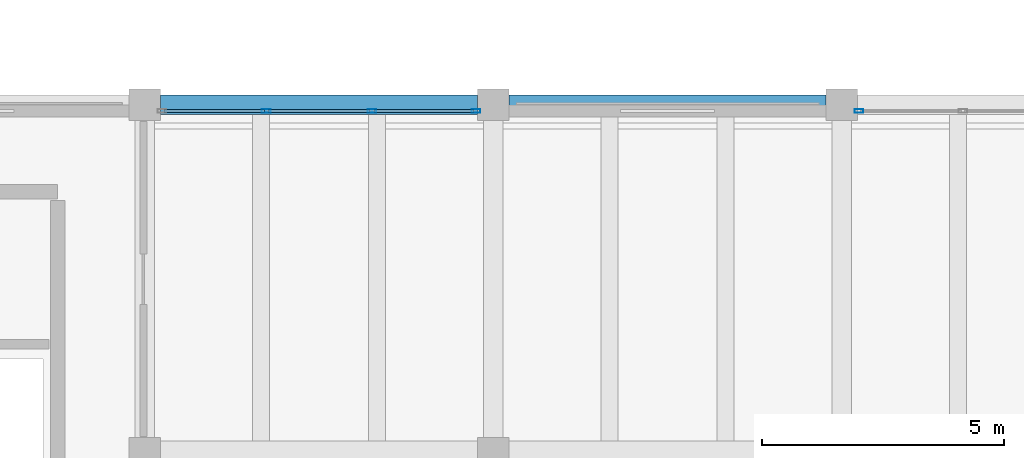
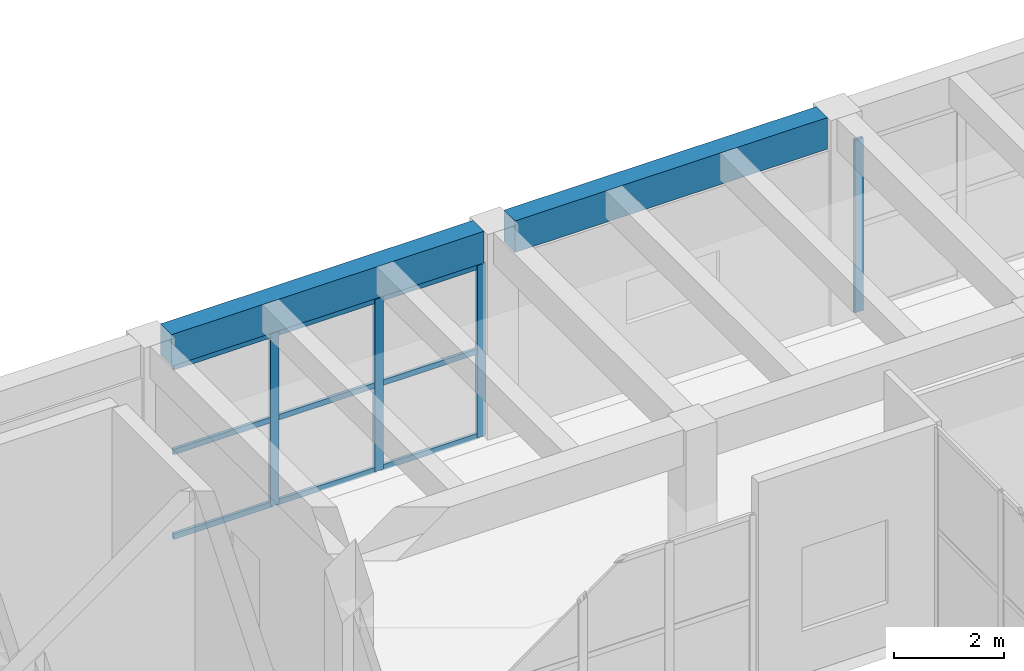
# One storey, part 79 of 155: 13 members, 2 beams, 2 elements without a shape of their own.
"""IFC4 building model written with IfcOpenShell, lengths in metres."""

import ifcopenshell
import ifcopenshell.guid

model = None  # the IFC model being written
_history = None  # IfcOwnerHistory: only IFC2X3 demands one
_inside = {}  # id of a spatial element -> (the spatial element, [elements in it])
_under = {}  # id of a project, library or spatial element -> (it, [spatial elements below it])
_declared = {}  # id of a project -> (the project, [libraries it declares])
_typed = {}  # id of a type object -> (the type object, [elements of that type])
_made_of = {}  # id of a material, layer set ... -> (it, [elements and type objects made of it])


def new_model(schema):
    """Start an empty IFC model of exactly this schema.

    Asked for "IFC4X3", IfcOpenShell would pick the latest addendum, in which some entities
    have other attributes; the version numbers below select the first issue.
    IFC2X3 requires an IfcOwnerHistory on every rooted entity: one is made here for all.
    """
    global model, _history
    if schema == "IFC4X3":
        model = ifcopenshell.file(schema_version=(4, 3, 0, 0))
    else:
        model = ifcopenshell.file(schema=schema)
    _inside.clear()
    _under.clear()
    _declared.clear()
    _typed.clear()
    _made_of.clear()
    _history = None
    if model.schema == "IFC2X3":
        org = make("IfcOrganization", Name="unknown")
        user = make(
            "IfcPersonAndOrganization",
            ThePerson=make("IfcPerson", FamilyName="unknown"),
            TheOrganization=org,
        )
        app = make(
            "IfcApplication",
            ApplicationDeveloper=org,
            Version="unknown",
            ApplicationFullName="unknown",
            ApplicationIdentifier="unknown",
        )
        _history = make(
            "IfcOwnerHistory",
            OwningUser=user,
            OwningApplication=app,
            ChangeAction="ADDED",
            CreationDate=0,
        )
    return model


def make(cls, **values):
    """One entity of the class cls with the attributes given. An attribute that is None is left unset."""
    return model.create_entity(
        cls, **{name: value for name, value in values.items() if value is not None}
    )


def rooted(cls, **values):
    """An entity with a GlobalId (a new one), such as an element, a storey or a relation."""
    return make(cls, GlobalId=ifcopenshell.guid.new(), OwnerHistory=_history, **values)


def si_unit(unit_type, name, prefix=None):
    """IfcSIUnit, for example si_unit("LENGTHUNIT", "METRE", prefix="MILLI")."""
    return make("IfcSIUnit", UnitType=unit_type, Prefix=prefix, Name=name)


def assignment(units):
    """IfcUnitAssignment: the units of a project."""
    return None if units is None else make("IfcUnitAssignment", Units=units)


def point(xyz):
    """IfcCartesianPoint."""
    return None if xyz is None else make("IfcCartesianPoint", Coordinates=xyz)


def direction(xyz):
    """IfcDirection."""
    return None if xyz is None else make("IfcDirection", DirectionRatios=xyz)


def frame(location, z_axis=None, x_axis=None):
    """IfcAxis2Placement3D, a coordinate frame: its origin and axes. An axis left out is left unset."""
    return make(
        "IfcAxis2Placement3D",
        Location=point(location),
        Axis=direction(z_axis),
        RefDirection=direction(x_axis),
    )


def frame_2d(location, x_axis=None):
    """IfcAxis2Placement2D, a coordinate frame in the plane: its origin and x axis."""
    return make(
        "IfcAxis2Placement2D", Location=point(location), RefDirection=direction(x_axis)
    )


def origin():
    """The frame at (0, 0, 0) with its axes left unset."""
    return frame((0.0, 0.0, 0.0))


def origin_2d():
    """The frame at (0, 0) in the plane with its x axis left unset."""
    return frame_2d((0.0, 0.0))


def place(relative_to, where):
    """IfcLocalPlacement: puts the frame where relative to a parent placement (None: the world)."""
    return make(
        "IfcLocalPlacement", PlacementRelTo=relative_to, RelativePlacement=where
    )


def context(
    kind, dimensions, precision=None, world=None, true_north=None, identifier=None
):
    """IfcGeometricRepresentationContext, for example the 3D "Model" context."""
    return make(
        "IfcGeometricRepresentationContext",
        ContextIdentifier=identifier,
        ContextType=kind,
        CoordinateSpaceDimension=dimensions,
        Precision=precision,
        WorldCoordinateSystem=world,
        TrueNorth=true_north,
    )


def subcontext(parent, identifier, kind, view, scale=None):
    """IfcGeometricRepresentationSubContext, for example "Body" below "Model"."""
    return make(
        "IfcGeometricRepresentationSubContext",
        ContextIdentifier=identifier,
        ContextType=kind,
        ParentContext=parent,
        TargetScale=scale,
        TargetView=view,
    )


def project(units=None, contexts=None):
    """IfcProject with its units and contexts."""
    return rooted(
        "IfcProject",
        Name="project",
        RepresentationContexts=contexts,
        UnitsInContext=assignment(units),
    )


def spatial(cls, under=None, at=None, **own):
    """A site, building, storey or space (cls), placed at a placement, below another one or the project."""
    s = rooted(cls, ObjectPlacement=at, **own)
    if under is not None:
        _under.setdefault(under.id(), (under, []))[1].append(s)
    return s


def profile(cls, at=None, kind="AREA", **sizes):
    """A parametric profile (cls). Its sizes go by their IFC names, for example OverallWidth=200.0."""
    return make(cls, ProfileType=kind, Position=at, **sizes)


def rectangle(**sizes):
    """IfcRectangleProfileDef."""
    return profile("IfcRectangleProfileDef", **sizes)


def hollow_rectangle(**sizes):
    """IfcRectangleHollowProfileDef."""
    return profile("IfcRectangleHollowProfileDef", **sizes)


def extrude(swept, where, along, depth):
    """IfcExtrudedAreaSolid: the profile swept, set in the frame where, extruded along a direction by depth."""
    return make(
        "IfcExtrudedAreaSolid",
        SweptArea=swept,
        Position=where,
        ExtrudedDirection=direction(along),
        Depth=depth,
    )


def shape(context_of_items, identifier, shape_type, items):
    """IfcShapeRepresentation: the items that make up one representation, for example the "Body"."""
    return make(
        "IfcShapeRepresentation",
        ContextOfItems=context_of_items,
        RepresentationIdentifier=identifier,
        RepresentationType=shape_type,
        Items=items,
    )


def material(Name=None, Category=None):
    """IfcMaterial."""
    return make("IfcMaterial", Name=Name, Category=Category)


def material_profile(
    of_material, cross_section, Name=None, Category=None, Priority=None
):
    """IfcMaterialProfile: a cross section and its material."""
    return make(
        "IfcMaterialProfile",
        Name=Name,
        Material=of_material,
        Profile=cross_section,
        Priority=Priority,
        Category=Category,
    )


def profile_set(profiles, Name=None, composite=None):
    """IfcMaterialProfileSet."""
    return make(
        "IfcMaterialProfileSet",
        Name=Name,
        MaterialProfiles=profiles,
        CompositeProfile=composite,
    )


def made_of(thing, what):
    """Note that an element or type object is made of a material, layer set ...; save() writes the relation."""
    if what is not None:
        _made_of.setdefault(what.id(), (what, []))[1].append(thing)
    return thing


def type_object(cls, material=None, **own):
    """A type object (cls), such as IfcWallType, which elements share."""
    return made_of(rooted(cls, **own), material)


def element(
    cls,
    number,
    at=None,
    inside=None,
    cuts=None,
    type_object=None,
    material=None,
    context=None,
    identifier="Body",
    shape_type=None,
    held_by="IfcProductDefinitionShape",
    body=None,
    shapes=None,
    **own,
):
    """One element of the class cls, such as IfcWall. Its Tag is "e" and its number.

    at: its placement. inside: the storey or other place that contains it. cuts: it is an
    opening in that element (IfcRelVoidsElement). A single representation is given by context,
    identifier, shape_type and body (its items); several are given by shapes. held_by: the class
    of the entity that holds the representations. save() writes the other relations.
    """
    e = rooted(cls, Tag="e%d" % number, ObjectPlacement=at, **own)
    if body is not None:
        shapes = [shape(context, identifier, shape_type, body)]
    if shapes is not None:
        e.Representation = make(held_by, Representations=shapes)
    if inside is not None:
        _inside.setdefault(inside.id(), (inside, []))[1].append(e)
    if cuts is not None:
        rooted(
            "IfcRelVoidsElement", RelatingBuildingElement=cuts, RelatedOpeningElement=e
        )
    if type_object is not None:
        _typed.setdefault(type_object.id(), (type_object, []))[1].append(e)
    return made_of(e, material)


def aggregate(whole, parts):
    """IfcRelAggregates: a whole, such as a stair, and the parts it consists of."""
    return rooted("IfcRelAggregates", RelatingObject=whole, RelatedObjects=parts)


def save(model, path):
    """Write the relations noted so far, then the file.

    IfcRelAggregates (storeys below a building ...), IfcRelContainedInSpatialStructure (elements
    in a storey), IfcRelDefinesByType, IfcRelAssociatesMaterial and IfcRelDeclares: one each for
    every whole, place, type object, material and project.
    """
    for whole, parts in _under.values():
        aggregate(whole, parts)
    for where, things in _inside.values():
        rooted(
            "IfcRelContainedInSpatialStructure",
            RelatedElements=things,
            RelatingStructure=where,
        )
    for kind, things in _typed.values():
        rooted("IfcRelDefinesByType", RelatedObjects=things, RelatingType=kind)
    for what, things in _made_of.values():
        rooted("IfcRelAssociatesMaterial", RelatedObjects=things, RelatingMaterial=what)
    for by, libraries in _declared.values():
        rooted("IfcRelDeclares", RelatingContext=by, RelatedDefinitions=libraries)
    model.write(path)


model = new_model("IFC4")

# Units and contexts
model_context = context("Model", 3, precision=1e-05, world=origin(), true_north=direction((0.0, 1.0)))
body_context = subcontext(model_context, "Body", "Model", "MODEL_VIEW")
ifc_project = project(units=[si_unit("LENGTHUNIT", "METRE"), si_unit("AREAUNIT", "SQUARE_METRE"), si_unit("VOLUMEUNIT", "CUBIC_METRE"), si_unit("PLANEANGLEUNIT", "RADIAN"), si_unit("MASSUNIT", "GRAM", prefix="KILO")], contexts=[model_context])

# Site, building, storey
site_placement = place(None, origin())
site = spatial("IfcSite", under=ifc_project, at=site_placement, CompositionType="ELEMENT")
building_placement = place(site_placement, origin())
building = spatial("IfcBuilding", under=site, at=building_placement, Name="Bramvelor Terrace Health Centre", CompositionType="ELEMENT")
storey_placement = place(building_placement, origin())
storey = spatial("IfcBuildingStorey", under=building, at=storey_placement, Name="L01", CompositionType="ELEMENT", Elevation=0.0)

# Beams
ifc_material_1 = material(Name="Concrete C40/50", Category="concrete")
ifc_material_profile_1 = material_profile(ifc_material_1, rectangle(XDim=0.39990234375, YDim=0.699951171875, at=origin_2d()), Name="RC 400x700")
ifc_profile_set_1 = profile_set([ifc_material_profile_1], Name="Concrete C40/50")
beam_type = type_object("IfcBeamType", Name="BM-RC-SP700-EXT", PredefinedType="SPANDREL", material=ifc_profile_set_1)
beam_1_placement = place(storey_placement, frame((14.72509765625, 115.199951171875, 4.2099609375), z_axis=(1.0, 0.0, 0.0), x_axis=(0.0, 1.0, 0.0)))
element("IfcBeam", 1, at=beam_1_placement, inside=storey, type_object=beam_type, Name="L01 Floor Girder", PredefinedType="SPANDREL", context=body_context, shape_type="SweptSolid", body=[
    extrude(rectangle(XDim=0.39990234375, YDim=0.699951171875, at=origin_2d()), origin(), (0.0, 0.0, 1.0), 6.5498046875),
])
beam_2_placement = place(storey_placement, frame((21.925048828125, 115.199951171875, 4.2099609375), z_axis=(1.0, 0.0, 0.0), x_axis=(0.0, 1.0, 0.0)))
element("IfcBeam", 2, at=beam_2_placement, inside=storey, type_object=beam_type, Name="L01 Floor Girder", PredefinedType="SPANDREL", context=body_context, shape_type="SweptSolid", body=[
    extrude(rectangle(XDim=0.39990234375, YDim=0.699951171875, at=origin_2d()), origin(), (0.0, 0.0, 1.0), 6.550048828125),
])

# Curtain wall, members
ifc_material_2 = material(Name="Anodized aluminium and double low-E glass", Category="aluminium")
curtain_wall_type = type_object("IfcCurtainWallType", Name="CW-SYS-05", PredefinedType="NOTDEFINED", material=ifc_material_2)
curtain_wall_1_placement = place(storey_placement, origin())
curtain_wall_1 = element("IfcCurtainWall", 3, at=curtain_wall_1_placement, inside=storey, type_object=curtain_wall_type, Name="L01 Unitized Curtain Wall 19", PredefinedType="NOTDEFINED")
ifc_material_3 = material(Name="Anodized aluminium 6063-T6", Category="aluminium")
ifc_material_profile_2 = material_profile(ifc_material_3, hollow_rectangle(XDim=0.074951171875, YDim=0.179931640625, WallThickness=0.00341796875, at=origin_2d()), Name="ALU-MUL 75x180x3.5")
ifc_profile_set_2 = profile_set([ifc_material_profile_2], Name="Anodized aluminium 6063-T6")
member_type_1 = type_object("IfcMemberType", Name="CW-MUL-65x180", PredefinedType="MULLION", material=ifc_profile_set_2)
member_1_placement = place(storey_placement, frame((16.90673828125, 115.070068359375, 0.0), z_axis=(0.0, 0.0, 1.0), x_axis=(0.0, 1.0, 0.0)))
member_1 = element("IfcMember", 4, at=member_1_placement, type_object=member_type_1, Name="CW-05 mullion 2", PredefinedType="MULLION", context=body_context, shape_type="SweptSolid", body=[
    extrude(hollow_rectangle(XDim=0.074951171875, YDim=0.179931640625, WallThickness=0.00341796875, at=origin_2d()), origin(), (0.0, 0.0, 1.0), 3.820068359375),
])
member_2_placement = place(storey_placement, frame((19.09326171875, 115.070068359375, 0.0), z_axis=(0.0, 0.0, 1.0), x_axis=(0.0, 1.0, 0.0)))
member_2 = element("IfcMember", 5, at=member_2_placement, type_object=member_type_1, Name="CW-05 mullion 3", PredefinedType="MULLION", context=body_context, shape_type="SweptSolid", body=[
    extrude(hollow_rectangle(XDim=0.074951171875, YDim=0.179931640625, WallThickness=0.00341796875, at=origin_2d()), origin(), (0.0, 0.0, 1.0), 3.820068359375),
])
member_3_placement = place(storey_placement, frame((21.242431640625, 115.070068359375, 0.0), z_axis=(0.0, 0.0, 1.0), x_axis=(0.0, 1.0, 0.0)))
member_3 = element("IfcMember", 6, at=member_3_placement, type_object=member_type_1, Name="CW-05 mullion 4", PredefinedType="MULLION", context=body_context, shape_type="SweptSolid", body=[
    extrude(hollow_rectangle(XDim=0.074951171875, YDim=0.179931640625, WallThickness=0.00341796875, at=origin_2d()), origin(), (0.0, 0.0, 1.0), 3.820068359375),
])

# Curtain wall, member
curtain_wall_2_placement = place(storey_placement, origin())
curtain_wall_2 = element("IfcCurtainWall", 7, at=curtain_wall_2_placement, inside=storey, type_object=curtain_wall_type, Name="L01 Unitized Curtain Wall 20", PredefinedType="NOTDEFINED")
member_4_placement = place(storey_placement, frame((29.157470703125, 115.070068359375, 0.0), z_axis=(0.0, 0.0, 1.0), x_axis=(0.0, 1.0, 0.0)))
member_4 = element("IfcMember", 8, at=member_4_placement, type_object=member_type_1, Name="CW-05 mullion 1", PredefinedType="MULLION", context=body_context, shape_type="SweptSolid", body=[
    extrude(hollow_rectangle(XDim=0.074951171875, YDim=0.179931640625, WallThickness=0.00341796875, at=origin_2d()), origin(), (0.0, 0.0, 1.0), 3.820068359375),
])
aggregate(curtain_wall_2, [member_4])

# Member
ifc_material_4 = material(Name="Anodized aluminium 6063-T6", Category="aluminium")
ifc_material_profile_3 = material_profile(ifc_material_4, hollow_rectangle(XDim=0.06494140625, YDim=0.1201171875, WallThickness=0.0029296875, at=origin_2d()), Name="ALU-TRN 65x120x3.0")
ifc_profile_set_3 = profile_set([ifc_material_profile_3], Name="Anodized aluminium 6063-T6")
member_type_2 = type_object("IfcMemberType", Name="CW-TRN-65x150", PredefinedType="USERDEFINED", material=ifc_profile_set_3)
member_5_placement = place(storey_placement, frame((14.794921875, 115.070068359375, 0.032470703125), z_axis=(1.0, 0.0, 0.0), x_axis=(0.0, 1.0, 0.0)))
member_5 = element("IfcMember", 9, at=member_5_placement, type_object=member_type_2, Name="CW-05 transom 1.1", ObjectType="TRANSOM", PredefinedType="USERDEFINED", context=body_context, shape_type="SweptSolid", body=[
    extrude(hollow_rectangle(XDim=0.06494140625, YDim=0.1201171875, WallThickness=0.0029296875, at=origin_2d()), origin(), (0.0, 0.0, 1.0), 2.07421875),
])

member_6_placement = place(storey_placement, frame((14.794921875, 115.070068359375, 1.909912109375), z_axis=(1.0, 0.0, 0.0), x_axis=(0.0, 1.0, 0.0)))
member_6 = element("IfcMember", 10, at=member_6_placement, type_object=member_type_2, Name="CW-05 transom 1.2", ObjectType="TRANSOM", PredefinedType="USERDEFINED", context=body_context, shape_type="SweptSolid", body=[
    extrude(hollow_rectangle(XDim=0.06494140625, YDim=0.1201171875, WallThickness=0.0029296875, at=origin_2d()), origin(), (0.0, 0.0, 1.0), 2.07421875),
])

member_7_placement = place(storey_placement, frame((14.794921875, 115.070068359375, 3.78759765625), z_axis=(1.0, 0.0, 0.0), x_axis=(0.0, 1.0, 0.0)))
member_7 = element("IfcMember", 11, at=member_7_placement, type_object=member_type_2, Name="CW-05 transom 1.3", ObjectType="TRANSOM", PredefinedType="USERDEFINED", context=body_context, shape_type="SweptSolid", body=[
    extrude(hollow_rectangle(XDim=0.06494140625, YDim=0.1201171875, WallThickness=0.0029296875, at=origin_2d()), origin(), (0.0, 0.0, 1.0), 2.07421875),
])

member_8_placement = place(storey_placement, frame((16.944091796875, 115.070068359375, 0.032470703125), z_axis=(1.0, 0.0, 0.0), x_axis=(0.0, 1.0, 0.0)))
member_8 = element("IfcMember", 12, at=member_8_placement, type_object=member_type_2, Name="CW-05 transom 2.1", ObjectType="TRANSOM", PredefinedType="USERDEFINED", context=body_context, shape_type="SweptSolid", body=[
    extrude(hollow_rectangle(XDim=0.06494140625, YDim=0.1201171875, WallThickness=0.0029296875, at=origin_2d()), origin(), (0.0, 0.0, 1.0), 2.11181640625),
])

member_9_placement = place(storey_placement, frame((16.944091796875, 115.070068359375, 1.909912109375), z_axis=(1.0, 0.0, 0.0), x_axis=(0.0, 1.0, 0.0)))
member_9 = element("IfcMember", 13, at=member_9_placement, type_object=member_type_2, Name="CW-05 transom 2.2", ObjectType="TRANSOM", PredefinedType="USERDEFINED", context=body_context, shape_type="SweptSolid", body=[
    extrude(hollow_rectangle(XDim=0.06494140625, YDim=0.1201171875, WallThickness=0.0029296875, at=origin_2d()), origin(), (0.0, 0.0, 1.0), 2.11181640625),
])

member_10_placement = place(storey_placement, frame((16.944091796875, 115.070068359375, 3.78759765625), z_axis=(1.0, 0.0, 0.0), x_axis=(0.0, 1.0, 0.0)))
member_10 = element("IfcMember", 14, at=member_10_placement, type_object=member_type_2, Name="CW-05 transom 2.3", ObjectType="TRANSOM", PredefinedType="USERDEFINED", context=body_context, shape_type="SweptSolid", body=[
    extrude(hollow_rectangle(XDim=0.06494140625, YDim=0.1201171875, WallThickness=0.0029296875, at=origin_2d()), origin(), (0.0, 0.0, 1.0), 2.11181640625),
])

member_11_placement = place(storey_placement, frame((19.130859375, 115.070068359375, 0.032470703125), z_axis=(1.0, 0.0, 0.0), x_axis=(0.0, 1.0, 0.0)))
member_11 = element("IfcMember", 15, at=member_11_placement, type_object=member_type_2, Name="CW-05 transom 3.1", ObjectType="TRANSOM", PredefinedType="USERDEFINED", context=body_context, shape_type="SweptSolid", body=[
    extrude(hollow_rectangle(XDim=0.06494140625, YDim=0.1201171875, WallThickness=0.0029296875, at=origin_2d()), origin(), (0.0, 0.0, 1.0), 2.07421875),
])

member_12_placement = place(storey_placement, frame((19.130859375, 115.070068359375, 1.909912109375), z_axis=(1.0, 0.0, 0.0), x_axis=(0.0, 1.0, 0.0)))
member_12 = element("IfcMember", 16, at=member_12_placement, type_object=member_type_2, Name="CW-05 transom 3.2", ObjectType="TRANSOM", PredefinedType="USERDEFINED", context=body_context, shape_type="SweptSolid", body=[
    extrude(hollow_rectangle(XDim=0.06494140625, YDim=0.1201171875, WallThickness=0.0029296875, at=origin_2d()), origin(), (0.0, 0.0, 1.0), 2.07421875),
])

member_13_placement = place(storey_placement, frame((19.130859375, 115.070068359375, 3.78759765625), z_axis=(1.0, 0.0, 0.0), x_axis=(0.0, 1.0, 0.0)))
member_13 = element("IfcMember", 17, at=member_13_placement, type_object=member_type_2, Name="CW-05 transom 3.3", ObjectType="TRANSOM", PredefinedType="USERDEFINED", context=body_context, shape_type="SweptSolid", body=[
    extrude(hollow_rectangle(XDim=0.06494140625, YDim=0.1201171875, WallThickness=0.0029296875, at=origin_2d()), origin(), (0.0, 0.0, 1.0), 2.07421875),
])

aggregate(curtain_wall_1, [member_1, member_2, member_3, member_5, member_6, member_7, member_8, member_9, member_10, member_11, member_12, member_13])

save(model, "model.ifc")
